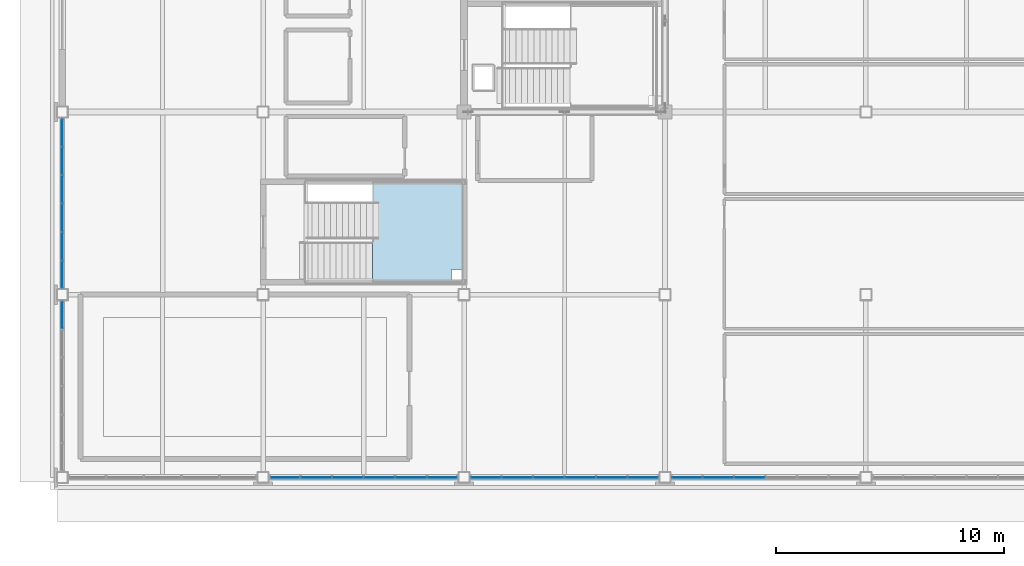
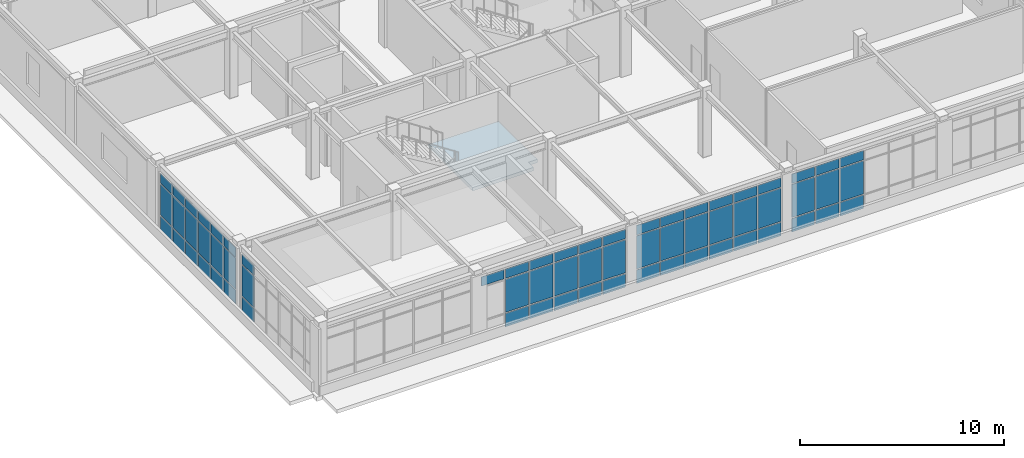
# One storey, part 9 of 22: 64 plates, 1 slab, 6 elements without a shape of their own.
"""IFC4 building model written with IfcOpenShell, lengths in metres."""

from ifc_helpers import new_model, si_unit, direction, frame, origin, origin_2d, place, context, subcontext, project, spatial, polyline, rectangle, outline, extrude, material, layer, layer_set, type_object, element, aggregate, save


model = new_model("IFC4")

# Units and contexts
model_context = context("Model", 3, precision=1e-05, world=origin(), true_north=direction((0.0, 1.0)))
body_context = subcontext(model_context, "Body", "Model", "MODEL_VIEW")
ifc_project = project(units=[si_unit("LENGTHUNIT", "METRE"), si_unit("AREAUNIT", "SQUARE_METRE"), si_unit("VOLUMEUNIT", "CUBIC_METRE"), si_unit("PLANEANGLEUNIT", "RADIAN"), si_unit("MASSUNIT", "GRAM", prefix="KILO")], contexts=[model_context])

# Site, building, storey
site_placement = place(None, origin())
site = spatial("IfcSite", under=ifc_project, at=site_placement, CompositionType="ELEMENT")
building_placement = place(site_placement, origin())
building = spatial("IfcBuilding", under=site, at=building_placement, Name="Zhaolan Boulevard Law Courts", CompositionType="ELEMENT")
storey_placement = place(building_placement, frame((0.0, 0.0, 28.800048828125)))
storey = spatial("IfcBuildingStorey", under=building, at=storey_placement, Name="L06", CompositionType="ELEMENT", Elevation=28.800048828125)

# Curtain wall, plates
ifc_material_1 = material(Name="Thermally broken aluminium and low-E glazing", Category="aluminium")
curtain_wall_type_1 = type_object("IfcCurtainWallType", Name="CURTAIN WALL M9", PredefinedType="USERDEFINED", material=ifc_material_1)
curtain_wall_1_placement = place(storey_placement, origin())
curtain_wall_1 = element("IfcCurtainWall", 1, at=curtain_wall_1_placement, inside=storey, type_object=curtain_wall_type_1, Name="Curtain Wall CW-L06-225", ObjectType="CURTAIN WALL", PredefinedType="USERDEFINED")
ifc_material_2 = material(Name="Triple-silver low-E insulated glazing", Category="glass")
ifc_layer_1 = layer(ifc_material_2, 0.028076171875)
ifc_layer_set_1 = layer_set([ifc_layer_1])
plate_type = type_object("IfcPlateType", Name="CWPANEL LOW E28", PredefinedType="CURTAIN_PANEL", material=ifc_layer_set_1)
plate_1_placement = place(storey_placement, frame((9.759521484375, 30.0, 2.9755859375), z_axis=(0.0, 0.0, 1.0), x_axis=(1.0, 0.0, 0.0)))
plate_1 = element("IfcPlate", 2, at=plate_1_placement, type_object=plate_type, Name="CW-L06-225 panel 1.3", PredefinedType="CURTAIN_PANEL", context=body_context, shape_type="SweptSolid", body=[
    extrude(rectangle(XDim=1.28515625, YDim=0.028076171875, at=origin_2d()), origin(), (0.0, 0.0, 1.0), 0.552490234375),
])
plate_2_placement = place(storey_placement, frame((11.1259765625, 30.0, 0.06494140625), z_axis=(0.0, 0.0, 1.0), x_axis=(1.0, 0.0, 0.0)))
plate_2 = element("IfcPlate", 3, at=plate_2_placement, type_object=plate_type, Name="CW-L06-225 panel 2.1", PredefinedType="CURTAIN_PANEL", context=body_context, shape_type="SweptSolid", body=[
    extrude(rectangle(XDim=1.317626953125, YDim=0.028076171875, at=origin_2d()), origin(), (0.0, 0.0, 1.0), 0.802490234375),
])
plate_3_placement = place(storey_placement, frame((11.1259765625, 30.0, 0.932373046875), z_axis=(0.0, 0.0, 1.0), x_axis=(1.0, 0.0, 0.0)))
plate_3 = element("IfcPlate", 4, at=plate_3_placement, type_object=plate_type, Name="CW-L06-225 panel 2.2", PredefinedType="CURTAIN_PANEL", context=body_context, shape_type="SweptSolid", body=[
    extrude(rectangle(XDim=1.317626953125, YDim=0.028076171875, at=origin_2d()), origin(), (0.0, 0.0, 1.0), 1.97802734375),
])
plate_4_placement = place(storey_placement, frame((11.1259765625, 30.0, 2.9755859375), z_axis=(0.0, 0.0, 1.0), x_axis=(1.0, 0.0, 0.0)))
plate_4 = element("IfcPlate", 5, at=plate_4_placement, type_object=plate_type, Name="CW-L06-225 panel 2.3", PredefinedType="CURTAIN_PANEL", context=body_context, shape_type="SweptSolid", body=[
    extrude(rectangle(XDim=1.317626953125, YDim=0.028076171875, at=origin_2d()), origin(), (0.0, 0.0, 1.0), 0.552490234375),
])
plate_5_placement = place(storey_placement, frame((12.508544921875, 30.0, 0.06494140625), z_axis=(0.0, 0.0, 1.0), x_axis=(1.0, 0.0, 0.0)))
plate_5 = element("IfcPlate", 6, at=plate_5_placement, type_object=plate_type, Name="CW-L06-225 panel 3.1", PredefinedType="CURTAIN_PANEL", context=body_context, shape_type="SweptSolid", body=[
    extrude(rectangle(XDim=1.317626953125, YDim=0.028076171875, at=origin_2d()), origin(), (0.0, 0.0, 1.0), 0.802490234375),
])
plate_6_placement = place(storey_placement, frame((12.508544921875, 30.0, 0.932373046875), z_axis=(0.0, 0.0, 1.0), x_axis=(1.0, 0.0, 0.0)))
plate_6 = element("IfcPlate", 7, at=plate_6_placement, type_object=plate_type, Name="CW-L06-225 panel 3.2", PredefinedType="CURTAIN_PANEL", context=body_context, shape_type="SweptSolid", body=[
    extrude(rectangle(XDim=1.317626953125, YDim=0.028076171875, at=origin_2d()), origin(), (0.0, 0.0, 1.0), 1.97802734375),
])
plate_7_placement = place(storey_placement, frame((12.508544921875, 30.0, 2.9755859375), z_axis=(0.0, 0.0, 1.0), x_axis=(1.0, 0.0, 0.0)))
plate_7 = element("IfcPlate", 8, at=plate_7_placement, type_object=plate_type, Name="CW-L06-225 panel 3.3", PredefinedType="CURTAIN_PANEL", context=body_context, shape_type="SweptSolid", body=[
    extrude(rectangle(XDim=1.317626953125, YDim=0.028076171875, at=origin_2d()), origin(), (0.0, 0.0, 1.0), 0.552490234375),
])
plate_8_placement = place(storey_placement, frame((13.891357421875, 30.0, 0.06494140625), z_axis=(0.0, 0.0, 1.0), x_axis=(1.0, 0.0, 0.0)))
plate_8 = element("IfcPlate", 9, at=plate_8_placement, type_object=plate_type, Name="CW-L06-225 panel 4.1", PredefinedType="CURTAIN_PANEL", context=body_context, shape_type="SweptSolid", body=[
    extrude(rectangle(XDim=1.317626953125, YDim=0.028076171875, at=origin_2d()), origin(), (0.0, 0.0, 1.0), 0.802490234375),
])
plate_9_placement = place(storey_placement, frame((13.891357421875, 30.0, 0.932373046875), z_axis=(0.0, 0.0, 1.0), x_axis=(1.0, 0.0, 0.0)))
plate_9 = element("IfcPlate", 10, at=plate_9_placement, type_object=plate_type, Name="CW-L06-225 panel 4.2", PredefinedType="CURTAIN_PANEL", context=body_context, shape_type="SweptSolid", body=[
    extrude(rectangle(XDim=1.317626953125, YDim=0.028076171875, at=origin_2d()), origin(), (0.0, 0.0, 1.0), 1.97802734375),
])
plate_10_placement = place(storey_placement, frame((13.891357421875, 30.0, 2.9755859375), z_axis=(0.0, 0.0, 1.0), x_axis=(1.0, 0.0, 0.0)))
plate_10 = element("IfcPlate", 11, at=plate_10_placement, type_object=plate_type, Name="CW-L06-225 panel 4.3", PredefinedType="CURTAIN_PANEL", context=body_context, shape_type="SweptSolid", body=[
    extrude(rectangle(XDim=1.317626953125, YDim=0.028076171875, at=origin_2d()), origin(), (0.0, 0.0, 1.0), 0.552490234375),
])
plate_11_placement = place(storey_placement, frame((15.27392578125, 30.0, 0.06494140625), z_axis=(0.0, 0.0, 1.0), x_axis=(1.0, 0.0, 0.0)))
plate_11 = element("IfcPlate", 12, at=plate_11_placement, type_object=plate_type, Name="CW-L06-225 panel 5.1", PredefinedType="CURTAIN_PANEL", context=body_context, shape_type="SweptSolid", body=[
    extrude(rectangle(XDim=1.317626953125, YDim=0.028076171875, at=origin_2d()), origin(), (0.0, 0.0, 1.0), 0.802490234375),
])
plate_12_placement = place(storey_placement, frame((15.27392578125, 30.0, 0.932373046875), z_axis=(0.0, 0.0, 1.0), x_axis=(1.0, 0.0, 0.0)))
plate_12 = element("IfcPlate", 13, at=plate_12_placement, type_object=plate_type, Name="CW-L06-225 panel 5.2", PredefinedType="CURTAIN_PANEL", context=body_context, shape_type="SweptSolid", body=[
    extrude(rectangle(XDim=1.317626953125, YDim=0.028076171875, at=origin_2d()), origin(), (0.0, 0.0, 1.0), 1.97802734375),
])
plate_13_placement = place(storey_placement, frame((15.27392578125, 30.0, 2.9755859375), z_axis=(0.0, 0.0, 1.0), x_axis=(1.0, 0.0, 0.0)))
plate_13 = element("IfcPlate", 14, at=plate_13_placement, type_object=plate_type, Name="CW-L06-225 panel 5.3", PredefinedType="CURTAIN_PANEL", context=body_context, shape_type="SweptSolid", body=[
    extrude(rectangle(XDim=1.317626953125, YDim=0.028076171875, at=origin_2d()), origin(), (0.0, 0.0, 1.0), 0.552490234375),
])
plate_14_placement = place(storey_placement, frame((16.640380859375, 30.0, 0.06494140625), z_axis=(0.0, 0.0, 1.0), x_axis=(1.0, 0.0, 0.0)))
plate_14 = element("IfcPlate", 15, at=plate_14_placement, type_object=plate_type, Name="CW-L06-225 panel 6.1", PredefinedType="CURTAIN_PANEL", context=body_context, shape_type="SweptSolid", body=[
    extrude(rectangle(XDim=1.28515625, YDim=0.028076171875, at=origin_2d()), origin(), (0.0, 0.0, 1.0), 0.802490234375),
])
plate_15_placement = place(storey_placement, frame((16.640380859375, 30.0, 0.932373046875), z_axis=(0.0, 0.0, 1.0), x_axis=(1.0, 0.0, 0.0)))
plate_15 = element("IfcPlate", 16, at=plate_15_placement, type_object=plate_type, Name="CW-L06-225 panel 6.2", PredefinedType="CURTAIN_PANEL", context=body_context, shape_type="SweptSolid", body=[
    extrude(rectangle(XDim=1.28515625, YDim=0.028076171875, at=origin_2d()), origin(), (0.0, 0.0, 1.0), 1.97802734375),
])
plate_16_placement = place(storey_placement, frame((16.640380859375, 30.0, 2.9755859375), z_axis=(0.0, 0.0, 1.0), x_axis=(1.0, 0.0, 0.0)))
plate_16 = element("IfcPlate", 17, at=plate_16_placement, type_object=plate_type, Name="CW-L06-225 panel 6.3", PredefinedType="CURTAIN_PANEL", context=body_context, shape_type="SweptSolid", body=[
    extrude(rectangle(XDim=1.28515625, YDim=0.028076171875, at=origin_2d()), origin(), (0.0, 0.0, 1.0), 0.552490234375),
])
aggregate(curtain_wall_1, [plate_1, plate_2, plate_3, plate_4, plate_5, plate_6, plate_7, plate_8, plate_9, plate_10, plate_11, plate_12, plate_13, plate_14, plate_15, plate_16])

ifc_material_3 = material(Name="Thermally broken aluminium and low-E glazing", Category="aluminium")
curtain_wall_type_2 = type_object("IfcCurtainWallType", Name="CURTAIN WALL M10", PredefinedType="USERDEFINED", material=ifc_material_3)
curtain_wall_2_placement = place(storey_placement, origin())
curtain_wall_2 = element("IfcCurtainWall", 18, at=curtain_wall_2_placement, inside=storey, type_object=curtain_wall_type_2, Name="Curtain Wall CW-L06-226", ObjectType="CURTAIN WALL", PredefinedType="USERDEFINED")
plate_17_placement = place(storey_placement, frame((18.558349609375, 30.0, 0.059814453125), z_axis=(0.0, 0.0, 1.0), x_axis=(1.0, 0.0, 0.0)))
plate_17 = element("IfcPlate", 19, at=plate_17_placement, type_object=plate_type, Name="CW-L06-226 panel 1.1", PredefinedType="CURTAIN_PANEL", context=body_context, shape_type="SweptSolid", body=[
    extrude(rectangle(XDim=1.292724609375, YDim=0.028076171875, at=origin_2d()), origin(), (0.0, 0.0, 1.0), 0.81005859375),
])
plate_18_placement = place(storey_placement, frame((18.558349609375, 30.0, 0.929931640625), z_axis=(0.0, 0.0, 1.0), x_axis=(1.0, 0.0, 0.0)))
plate_18 = element("IfcPlate", 20, at=plate_18_placement, type_object=plate_type, Name="CW-L06-226 panel 1.2", PredefinedType="CURTAIN_PANEL", context=body_context, shape_type="SweptSolid", body=[
    extrude(rectangle(XDim=1.292724609375, YDim=0.028076171875, at=origin_2d()), origin(), (0.0, 0.0, 1.0), 1.98291015625),
])
plate_19_placement = place(storey_placement, frame((18.558349609375, 30.0, 2.972900390625), z_axis=(0.0, 0.0, 1.0), x_axis=(1.0, 0.0, 0.0)))
plate_19 = element("IfcPlate", 21, at=plate_19_placement, type_object=plate_type, Name="CW-L06-226 panel 1.3", PredefinedType="CURTAIN_PANEL", context=body_context, shape_type="SweptSolid", body=[
    extrude(rectangle(XDim=1.292724609375, YDim=0.028076171875, at=origin_2d()), origin(), (0.0, 0.0, 1.0), 0.56005859375),
])
plate_20_placement = place(storey_placement, frame((19.926025390625, 30.0, 0.059814453125), z_axis=(0.0, 0.0, 1.0), x_axis=(1.0, 0.0, 0.0)))
plate_20 = element("IfcPlate", 22, at=plate_20_placement, type_object=plate_type, Name="CW-L06-226 panel 2.1", PredefinedType="CURTAIN_PANEL", context=body_context, shape_type="SweptSolid", body=[
    extrude(rectangle(XDim=1.32275390625, YDim=0.028076171875, at=origin_2d()), origin(), (0.0, 0.0, 1.0), 0.81005859375),
])
plate_21_placement = place(storey_placement, frame((19.926025390625, 30.0, 0.929931640625), z_axis=(0.0, 0.0, 1.0), x_axis=(1.0, 0.0, 0.0)))
plate_21 = element("IfcPlate", 23, at=plate_21_placement, type_object=plate_type, Name="CW-L06-226 panel 2.2", PredefinedType="CURTAIN_PANEL", context=body_context, shape_type="SweptSolid", body=[
    extrude(rectangle(XDim=1.32275390625, YDim=0.028076171875, at=origin_2d()), origin(), (0.0, 0.0, 1.0), 1.98291015625),
])
plate_22_placement = place(storey_placement, frame((19.926025390625, 30.0, 2.972900390625), z_axis=(0.0, 0.0, 1.0), x_axis=(1.0, 0.0, 0.0)))
plate_22 = element("IfcPlate", 24, at=plate_22_placement, type_object=plate_type, Name="CW-L06-226 panel 2.3", PredefinedType="CURTAIN_PANEL", context=body_context, shape_type="SweptSolid", body=[
    extrude(rectangle(XDim=1.32275390625, YDim=0.028076171875, at=origin_2d()), origin(), (0.0, 0.0, 1.0), 0.56005859375),
])
plate_23_placement = place(storey_placement, frame((21.30859375, 30.0, 0.059814453125), z_axis=(0.0, 0.0, 1.0), x_axis=(1.0, 0.0, 0.0)))
plate_23 = element("IfcPlate", 25, at=plate_23_placement, type_object=plate_type, Name="CW-L06-226 panel 3.1", PredefinedType="CURTAIN_PANEL", context=body_context, shape_type="SweptSolid", body=[
    extrude(rectangle(XDim=1.32275390625, YDim=0.028076171875, at=origin_2d()), origin(), (0.0, 0.0, 1.0), 0.81005859375),
])
plate_24_placement = place(storey_placement, frame((21.30859375, 30.0, 0.929931640625), z_axis=(0.0, 0.0, 1.0), x_axis=(1.0, 0.0, 0.0)))
plate_24 = element("IfcPlate", 26, at=plate_24_placement, type_object=plate_type, Name="CW-L06-226 panel 3.2", PredefinedType="CURTAIN_PANEL", context=body_context, shape_type="SweptSolid", body=[
    extrude(rectangle(XDim=1.32275390625, YDim=0.028076171875, at=origin_2d()), origin(), (0.0, 0.0, 1.0), 1.98291015625),
])
plate_25_placement = place(storey_placement, frame((21.30859375, 30.0, 2.972900390625), z_axis=(0.0, 0.0, 1.0), x_axis=(1.0, 0.0, 0.0)))
plate_25 = element("IfcPlate", 27, at=plate_25_placement, type_object=plate_type, Name="CW-L06-226 panel 3.3", PredefinedType="CURTAIN_PANEL", context=body_context, shape_type="SweptSolid", body=[
    extrude(rectangle(XDim=1.32275390625, YDim=0.028076171875, at=origin_2d()), origin(), (0.0, 0.0, 1.0), 0.56005859375),
])
plate_26_placement = place(storey_placement, frame((22.69140625, 30.0, 0.059814453125), z_axis=(0.0, 0.0, 1.0), x_axis=(1.0, 0.0, 0.0)))
plate_26 = element("IfcPlate", 28, at=plate_26_placement, type_object=plate_type, Name="CW-L06-226 panel 4.1", PredefinedType="CURTAIN_PANEL", context=body_context, shape_type="SweptSolid", body=[
    extrude(rectangle(XDim=1.32275390625, YDim=0.028076171875, at=origin_2d()), origin(), (0.0, 0.0, 1.0), 0.81005859375),
])
plate_27_placement = place(storey_placement, frame((22.69140625, 30.0, 0.929931640625), z_axis=(0.0, 0.0, 1.0), x_axis=(1.0, 0.0, 0.0)))
plate_27 = element("IfcPlate", 29, at=plate_27_placement, type_object=plate_type, Name="CW-L06-226 panel 4.2", PredefinedType="CURTAIN_PANEL", context=body_context, shape_type="SweptSolid", body=[
    extrude(rectangle(XDim=1.32275390625, YDim=0.028076171875, at=origin_2d()), origin(), (0.0, 0.0, 1.0), 1.98291015625),
])
plate_28_placement = place(storey_placement, frame((22.69140625, 30.0, 2.972900390625), z_axis=(0.0, 0.0, 1.0), x_axis=(1.0, 0.0, 0.0)))
plate_28 = element("IfcPlate", 30, at=plate_28_placement, type_object=plate_type, Name="CW-L06-226 panel 4.3", PredefinedType="CURTAIN_PANEL", context=body_context, shape_type="SweptSolid", body=[
    extrude(rectangle(XDim=1.32275390625, YDim=0.028076171875, at=origin_2d()), origin(), (0.0, 0.0, 1.0), 0.56005859375),
])
plate_29_placement = place(storey_placement, frame((24.073974609375, 30.0, 0.059814453125), z_axis=(0.0, 0.0, 1.0), x_axis=(1.0, 0.0, 0.0)))
plate_29 = element("IfcPlate", 31, at=plate_29_placement, type_object=plate_type, Name="CW-L06-226 panel 5.1", PredefinedType="CURTAIN_PANEL", context=body_context, shape_type="SweptSolid", body=[
    extrude(rectangle(XDim=1.32275390625, YDim=0.028076171875, at=origin_2d()), origin(), (0.0, 0.0, 1.0), 0.81005859375),
])
plate_30_placement = place(storey_placement, frame((24.073974609375, 30.0, 0.929931640625), z_axis=(0.0, 0.0, 1.0), x_axis=(1.0, 0.0, 0.0)))
plate_30 = element("IfcPlate", 32, at=plate_30_placement, type_object=plate_type, Name="CW-L06-226 panel 5.2", PredefinedType="CURTAIN_PANEL", context=body_context, shape_type="SweptSolid", body=[
    extrude(rectangle(XDim=1.32275390625, YDim=0.028076171875, at=origin_2d()), origin(), (0.0, 0.0, 1.0), 1.98291015625),
])
plate_31_placement = place(storey_placement, frame((24.073974609375, 30.0, 2.972900390625), z_axis=(0.0, 0.0, 1.0), x_axis=(1.0, 0.0, 0.0)))
plate_31 = element("IfcPlate", 33, at=plate_31_placement, type_object=plate_type, Name="CW-L06-226 panel 5.3", PredefinedType="CURTAIN_PANEL", context=body_context, shape_type="SweptSolid", body=[
    extrude(rectangle(XDim=1.32275390625, YDim=0.028076171875, at=origin_2d()), origin(), (0.0, 0.0, 1.0), 0.56005859375),
])
plate_32_placement = place(storey_placement, frame((25.441650390625, 30.0, 0.059814453125), z_axis=(0.0, 0.0, 1.0), x_axis=(1.0, 0.0, 0.0)))
plate_32 = element("IfcPlate", 34, at=plate_32_placement, type_object=plate_type, Name="CW-L06-226 panel 6.1", PredefinedType="CURTAIN_PANEL", context=body_context, shape_type="SweptSolid", body=[
    extrude(rectangle(XDim=1.292724609375, YDim=0.028076171875, at=origin_2d()), origin(), (0.0, 0.0, 1.0), 0.81005859375),
])
plate_33_placement = place(storey_placement, frame((25.441650390625, 30.0, 0.929931640625), z_axis=(0.0, 0.0, 1.0), x_axis=(1.0, 0.0, 0.0)))
plate_33 = element("IfcPlate", 35, at=plate_33_placement, type_object=plate_type, Name="CW-L06-226 panel 6.2", PredefinedType="CURTAIN_PANEL", context=body_context, shape_type="SweptSolid", body=[
    extrude(rectangle(XDim=1.292724609375, YDim=0.028076171875, at=origin_2d()), origin(), (0.0, 0.0, 1.0), 1.98291015625),
])
plate_34_placement = place(storey_placement, frame((25.441650390625, 30.0, 2.972900390625), z_axis=(0.0, 0.0, 1.0), x_axis=(1.0, 0.0, 0.0)))
plate_34 = element("IfcPlate", 36, at=plate_34_placement, type_object=plate_type, Name="CW-L06-226 panel 6.3", PredefinedType="CURTAIN_PANEL", context=body_context, shape_type="SweptSolid", body=[
    extrude(rectangle(XDim=1.292724609375, YDim=0.028076171875, at=origin_2d()), origin(), (0.0, 0.0, 1.0), 0.56005859375),
])
aggregate(curtain_wall_2, [plate_17, plate_18, plate_19, plate_20, plate_21, plate_22, plate_23, plate_24, plate_25, plate_26, plate_27, plate_28, plate_29, plate_30, plate_31, plate_32, plate_33, plate_34])

ifc_material_4 = material(Name="Thermally broken aluminium and low-E glazing", Category="aluminium")
curtain_wall_type_3 = type_object("IfcCurtainWallType", Name="CURTAIN WALL M11", PredefinedType="USERDEFINED", material=ifc_material_4)
curtain_wall_3_placement = place(storey_placement, origin())
curtain_wall_3 = element("IfcCurtainWall", 37, at=curtain_wall_3_placement, inside=storey, type_object=curtain_wall_type_3, Name="Curtain Wall CW-L06-227", ObjectType="CURTAIN WALL", PredefinedType="USERDEFINED")
plate_35_placement = place(storey_placement, frame((27.3583984375, 30.0, 0.059814453125), z_axis=(0.0, 0.0, 1.0), x_axis=(1.0, 0.0, 0.0)))
plate_35 = element("IfcPlate", 38, at=plate_35_placement, type_object=plate_type, Name="CW-L06-227 panel 1.1", PredefinedType="CURTAIN_PANEL", context=body_context, shape_type="SweptSolid", body=[
    extrude(rectangle(XDim=1.292724609375, YDim=0.028076171875, at=origin_2d()), origin(), (0.0, 0.0, 1.0), 0.81005859375),
])
plate_36_placement = place(storey_placement, frame((27.3583984375, 30.0, 0.929931640625), z_axis=(0.0, 0.0, 1.0), x_axis=(1.0, 0.0, 0.0)))
plate_36 = element("IfcPlate", 39, at=plate_36_placement, type_object=plate_type, Name="CW-L06-227 panel 1.2", PredefinedType="CURTAIN_PANEL", context=body_context, shape_type="SweptSolid", body=[
    extrude(rectangle(XDim=1.292724609375, YDim=0.028076171875, at=origin_2d()), origin(), (0.0, 0.0, 1.0), 1.98291015625),
])
plate_37_placement = place(storey_placement, frame((27.3583984375, 30.0, 2.972900390625), z_axis=(0.0, 0.0, 1.0), x_axis=(1.0, 0.0, 0.0)))
plate_37 = element("IfcPlate", 40, at=plate_37_placement, type_object=plate_type, Name="CW-L06-227 panel 1.3", PredefinedType="CURTAIN_PANEL", context=body_context, shape_type="SweptSolid", body=[
    extrude(rectangle(XDim=1.292724609375, YDim=0.028076171875, at=origin_2d()), origin(), (0.0, 0.0, 1.0), 0.56005859375),
])
plate_38_placement = place(storey_placement, frame((28.72607421875, 30.0, 0.059814453125), z_axis=(0.0, 0.0, 1.0), x_axis=(1.0, 0.0, 0.0)))
plate_38 = element("IfcPlate", 41, at=plate_38_placement, type_object=plate_type, Name="CW-L06-227 panel 2.1", PredefinedType="CURTAIN_PANEL", context=body_context, shape_type="SweptSolid", body=[
    extrude(rectangle(XDim=1.32275390625, YDim=0.028076171875, at=origin_2d()), origin(), (0.0, 0.0, 1.0), 0.81005859375),
])
plate_39_placement = place(storey_placement, frame((28.72607421875, 30.0, 0.929931640625), z_axis=(0.0, 0.0, 1.0), x_axis=(1.0, 0.0, 0.0)))
plate_39 = element("IfcPlate", 42, at=plate_39_placement, type_object=plate_type, Name="CW-L06-227 panel 2.2", PredefinedType="CURTAIN_PANEL", context=body_context, shape_type="SweptSolid", body=[
    extrude(rectangle(XDim=1.32275390625, YDim=0.028076171875, at=origin_2d()), origin(), (0.0, 0.0, 1.0), 1.98291015625),
])
plate_40_placement = place(storey_placement, frame((28.72607421875, 30.0, 2.972900390625), z_axis=(0.0, 0.0, 1.0), x_axis=(1.0, 0.0, 0.0)))
plate_40 = element("IfcPlate", 43, at=plate_40_placement, type_object=plate_type, Name="CW-L06-227 panel 2.3", PredefinedType="CURTAIN_PANEL", context=body_context, shape_type="SweptSolid", body=[
    extrude(rectangle(XDim=1.32275390625, YDim=0.028076171875, at=origin_2d()), origin(), (0.0, 0.0, 1.0), 0.56005859375),
])
plate_41_placement = place(storey_placement, frame((30.108642578125, 30.0, 0.059814453125), z_axis=(0.0, 0.0, 1.0), x_axis=(1.0, 0.0, 0.0)))
plate_41 = element("IfcPlate", 44, at=plate_41_placement, type_object=plate_type, Name="CW-L06-227 panel 3.1", PredefinedType="CURTAIN_PANEL", context=body_context, shape_type="SweptSolid", body=[
    extrude(rectangle(XDim=1.32275390625, YDim=0.028076171875, at=origin_2d()), origin(), (0.0, 0.0, 1.0), 0.81005859375),
])
plate_42_placement = place(storey_placement, frame((30.108642578125, 30.0, 0.929931640625), z_axis=(0.0, 0.0, 1.0), x_axis=(1.0, 0.0, 0.0)))
plate_42 = element("IfcPlate", 45, at=plate_42_placement, type_object=plate_type, Name="CW-L06-227 panel 3.2", PredefinedType="CURTAIN_PANEL", context=body_context, shape_type="SweptSolid", body=[
    extrude(rectangle(XDim=1.32275390625, YDim=0.028076171875, at=origin_2d()), origin(), (0.0, 0.0, 1.0), 1.98291015625),
])
plate_43_placement = place(storey_placement, frame((30.108642578125, 30.0, 2.972900390625), z_axis=(0.0, 0.0, 1.0), x_axis=(1.0, 0.0, 0.0)))
plate_43 = element("IfcPlate", 46, at=plate_43_placement, type_object=plate_type, Name="CW-L06-227 panel 3.3", PredefinedType="CURTAIN_PANEL", context=body_context, shape_type="SweptSolid", body=[
    extrude(rectangle(XDim=1.32275390625, YDim=0.028076171875, at=origin_2d()), origin(), (0.0, 0.0, 1.0), 0.56005859375),
])
aggregate(curtain_wall_3, [plate_35, plate_36, plate_37, plate_38, plate_39, plate_40, plate_41, plate_42, plate_43])

ifc_material_5 = material(Name="Thermally broken aluminium and low-E glazing", Category="aluminium")
curtain_wall_type_4 = type_object("IfcCurtainWallType", Name="CURTAIN WALL M13", PredefinedType="USERDEFINED", material=ifc_material_5)
curtain_wall_4_placement = place(storey_placement, origin())
curtain_wall_4 = element("IfcCurtainWall", 47, at=curtain_wall_4_placement, inside=storey, type_object=curtain_wall_type_4, Name="Curtain Wall CW-L06-229", ObjectType="CURTAIN WALL", PredefinedType="USERDEFINED")
plate_44_placement = place(storey_placement, frame((0.0, 37.1083984375, 0.059814453125), z_axis=(0.0, 0.0, 1.0), x_axis=(0.0, -1.0, 0.0)))
plate_44 = element("IfcPlate", 48, at=plate_44_placement, type_object=plate_type, Name="CW-L06-229 panel 1.1", PredefinedType="CURTAIN_PANEL", context=body_context, shape_type="SweptSolid", body=[
    extrude(rectangle(XDim=1.159423828125, YDim=0.028076171875, at=origin_2d()), origin(), (0.0, 0.0, 1.0), 0.81005859375),
])
plate_45_placement = place(storey_placement, frame((0.0, 37.1083984375, 0.929931640625), z_axis=(0.0, 0.0, 1.0), x_axis=(0.0, -1.0, 0.0)))
plate_45 = element("IfcPlate", 49, at=plate_45_placement, type_object=plate_type, Name="CW-L06-229 panel 1.2", PredefinedType="CURTAIN_PANEL", context=body_context, shape_type="SweptSolid", body=[
    extrude(rectangle(XDim=1.159423828125, YDim=0.028076171875, at=origin_2d()), origin(), (0.0, 0.0, 1.0), 1.873046875),
])
plate_46_placement = place(storey_placement, frame((0.0, 37.1083984375, 2.863037109375), z_axis=(0.0, 0.0, 1.0), x_axis=(0.0, -1.0, 0.0)))
plate_46 = element("IfcPlate", 50, at=plate_46_placement, type_object=plate_type, Name="CW-L06-229 panel 1.3", PredefinedType="CURTAIN_PANEL", context=body_context, shape_type="SweptSolid", body=[
    extrude(rectangle(XDim=1.159423828125, YDim=0.028076171875, at=origin_2d()), origin(), (0.0, 0.0, 1.0), 0.56005859375),
])
aggregate(curtain_wall_4, [plate_44, plate_45, plate_46])

ifc_material_6 = material(Name="Thermally broken aluminium and low-E glazing", Category="aluminium")
curtain_wall_type_5 = type_object("IfcCurtainWallType", Name="CURTAIN WALL M14", PredefinedType="USERDEFINED", material=ifc_material_6)
curtain_wall_5_placement = place(storey_placement, origin())
curtain_wall_5 = element("IfcCurtainWall", 51, at=curtain_wall_5_placement, inside=storey, type_object=curtain_wall_type_5, Name="Curtain Wall CW-L06-230", ObjectType="CURTAIN WALL", PredefinedType="USERDEFINED")
plate_47_placement = place(storey_placement, frame((0.0, 45.1083984375, 0.059814453125), z_axis=(0.0, 0.0, 1.0), x_axis=(0.0, -1.0, 0.0)))
plate_47 = element("IfcPlate", 52, at=plate_47_placement, type_object=plate_type, Name="CW-L06-230 panel 1.1", PredefinedType="CURTAIN_PANEL", context=body_context, shape_type="SweptSolid", body=[
    extrude(rectangle(XDim=1.159423828125, YDim=0.028076171875, at=origin_2d()), origin(), (0.0, 0.0, 1.0), 0.81005859375),
])
plate_48_placement = place(storey_placement, frame((0.0, 45.1083984375, 0.929931640625), z_axis=(0.0, 0.0, 1.0), x_axis=(0.0, -1.0, 0.0)))
plate_48 = element("IfcPlate", 53, at=plate_48_placement, type_object=plate_type, Name="CW-L06-230 panel 1.2", PredefinedType="CURTAIN_PANEL", context=body_context, shape_type="SweptSolid", body=[
    extrude(rectangle(XDim=1.159423828125, YDim=0.028076171875, at=origin_2d()), origin(), (0.0, 0.0, 1.0), 1.873046875),
])
plate_49_placement = place(storey_placement, frame((0.0, 45.1083984375, 2.863037109375), z_axis=(0.0, 0.0, 1.0), x_axis=(0.0, -1.0, 0.0)))
plate_49 = element("IfcPlate", 54, at=plate_49_placement, type_object=plate_type, Name="CW-L06-230 panel 1.3", PredefinedType="CURTAIN_PANEL", context=body_context, shape_type="SweptSolid", body=[
    extrude(rectangle(XDim=1.159423828125, YDim=0.028076171875, at=origin_2d()), origin(), (0.0, 0.0, 1.0), 0.56005859375),
])
plate_50_placement = place(storey_placement, frame((0.0, 43.8740234375, 0.059814453125), z_axis=(0.0, 0.0, 1.0), x_axis=(0.0, -1.0, 0.0)))
plate_50 = element("IfcPlate", 55, at=plate_50_placement, type_object=plate_type, Name="CW-L06-230 panel 2.1", PredefinedType="CURTAIN_PANEL", context=body_context, shape_type="SweptSolid", body=[
    extrude(rectangle(XDim=1.189453125, YDim=0.028076171875, at=origin_2d()), origin(), (0.0, 0.0, 1.0), 0.81005859375),
])
plate_51_placement = place(storey_placement, frame((0.0, 43.8740234375, 0.929931640625), z_axis=(0.0, 0.0, 1.0), x_axis=(0.0, -1.0, 0.0)))
plate_51 = element("IfcPlate", 56, at=plate_51_placement, type_object=plate_type, Name="CW-L06-230 panel 2.2", PredefinedType="CURTAIN_PANEL", context=body_context, shape_type="SweptSolid", body=[
    extrude(rectangle(XDim=1.189453125, YDim=0.028076171875, at=origin_2d()), origin(), (0.0, 0.0, 1.0), 1.873046875),
])
plate_52_placement = place(storey_placement, frame((0.0, 43.8740234375, 2.863037109375), z_axis=(0.0, 0.0, 1.0), x_axis=(0.0, -1.0, 0.0)))
plate_52 = element("IfcPlate", 57, at=plate_52_placement, type_object=plate_type, Name="CW-L06-230 panel 2.3", PredefinedType="CURTAIN_PANEL", context=body_context, shape_type="SweptSolid", body=[
    extrude(rectangle(XDim=1.189453125, YDim=0.028076171875, at=origin_2d()), origin(), (0.0, 0.0, 1.0), 0.56005859375),
])
plate_53_placement = place(storey_placement, frame((0.0, 42.624755859375, 0.059814453125), z_axis=(0.0, 0.0, 1.0), x_axis=(0.0, -1.0, 0.0)))
plate_53 = element("IfcPlate", 58, at=plate_53_placement, type_object=plate_type, Name="CW-L06-230 panel 3.1", PredefinedType="CURTAIN_PANEL", context=body_context, shape_type="SweptSolid", body=[
    extrude(rectangle(XDim=1.189453125, YDim=0.028076171875, at=origin_2d()), origin(), (0.0, 0.0, 1.0), 0.81005859375),
])
plate_54_placement = place(storey_placement, frame((0.0, 42.624755859375, 0.929931640625), z_axis=(0.0, 0.0, 1.0), x_axis=(0.0, -1.0, 0.0)))
plate_54 = element("IfcPlate", 59, at=plate_54_placement, type_object=plate_type, Name="CW-L06-230 panel 3.2", PredefinedType="CURTAIN_PANEL", context=body_context, shape_type="SweptSolid", body=[
    extrude(rectangle(XDim=1.189453125, YDim=0.028076171875, at=origin_2d()), origin(), (0.0, 0.0, 1.0), 1.873046875),
])
plate_55_placement = place(storey_placement, frame((0.0, 42.624755859375, 2.863037109375), z_axis=(0.0, 0.0, 1.0), x_axis=(0.0, -1.0, 0.0)))
plate_55 = element("IfcPlate", 60, at=plate_55_placement, type_object=plate_type, Name="CW-L06-230 panel 3.3", PredefinedType="CURTAIN_PANEL", context=body_context, shape_type="SweptSolid", body=[
    extrude(rectangle(XDim=1.189453125, YDim=0.028076171875, at=origin_2d()), origin(), (0.0, 0.0, 1.0), 0.56005859375),
])
plate_56_placement = place(storey_placement, frame((0.0, 41.375244140625, 0.059814453125), z_axis=(0.0, 0.0, 1.0), x_axis=(0.0, -1.0, 0.0)))
plate_56 = element("IfcPlate", 61, at=plate_56_placement, type_object=plate_type, Name="CW-L06-230 panel 4.1", PredefinedType="CURTAIN_PANEL", context=body_context, shape_type="SweptSolid", body=[
    extrude(rectangle(XDim=1.189453125, YDim=0.028076171875, at=origin_2d()), origin(), (0.0, 0.0, 1.0), 0.81005859375),
])
plate_57_placement = place(storey_placement, frame((0.0, 41.375244140625, 0.929931640625), z_axis=(0.0, 0.0, 1.0), x_axis=(0.0, -1.0, 0.0)))
plate_57 = element("IfcPlate", 62, at=plate_57_placement, type_object=plate_type, Name="CW-L06-230 panel 4.2", PredefinedType="CURTAIN_PANEL", context=body_context, shape_type="SweptSolid", body=[
    extrude(rectangle(XDim=1.189453125, YDim=0.028076171875, at=origin_2d()), origin(), (0.0, 0.0, 1.0), 1.873046875),
])
plate_58_placement = place(storey_placement, frame((0.0, 41.375244140625, 2.863037109375), z_axis=(0.0, 0.0, 1.0), x_axis=(0.0, -1.0, 0.0)))
plate_58 = element("IfcPlate", 63, at=plate_58_placement, type_object=plate_type, Name="CW-L06-230 panel 4.3", PredefinedType="CURTAIN_PANEL", context=body_context, shape_type="SweptSolid", body=[
    extrude(rectangle(XDim=1.189453125, YDim=0.028076171875, at=origin_2d()), origin(), (0.0, 0.0, 1.0), 0.56005859375),
])
plate_59_placement = place(storey_placement, frame((0.0, 40.1259765625, 0.059814453125), z_axis=(0.0, 0.0, 1.0), x_axis=(0.0, -1.0, 0.0)))
plate_59 = element("IfcPlate", 64, at=plate_59_placement, type_object=plate_type, Name="CW-L06-230 panel 5.1", PredefinedType="CURTAIN_PANEL", context=body_context, shape_type="SweptSolid", body=[
    extrude(rectangle(XDim=1.189453125, YDim=0.028076171875, at=origin_2d()), origin(), (0.0, 0.0, 1.0), 0.81005859375),
])
plate_60_placement = place(storey_placement, frame((0.0, 40.1259765625, 0.929931640625), z_axis=(0.0, 0.0, 1.0), x_axis=(0.0, -1.0, 0.0)))
plate_60 = element("IfcPlate", 65, at=plate_60_placement, type_object=plate_type, Name="CW-L06-230 panel 5.2", PredefinedType="CURTAIN_PANEL", context=body_context, shape_type="SweptSolid", body=[
    extrude(rectangle(XDim=1.189453125, YDim=0.028076171875, at=origin_2d()), origin(), (0.0, 0.0, 1.0), 1.873046875),
])
plate_61_placement = place(storey_placement, frame((0.0, 40.1259765625, 2.863037109375), z_axis=(0.0, 0.0, 1.0), x_axis=(0.0, -1.0, 0.0)))
plate_61 = element("IfcPlate", 66, at=plate_61_placement, type_object=plate_type, Name="CW-L06-230 panel 5.3", PredefinedType="CURTAIN_PANEL", context=body_context, shape_type="SweptSolid", body=[
    extrude(rectangle(XDim=1.189453125, YDim=0.028076171875, at=origin_2d()), origin(), (0.0, 0.0, 1.0), 0.56005859375),
])
plate_62_placement = place(storey_placement, frame((0.0, 38.8916015625, 0.059814453125), z_axis=(0.0, 0.0, 1.0), x_axis=(0.0, -1.0, 0.0)))
plate_62 = element("IfcPlate", 67, at=plate_62_placement, type_object=plate_type, Name="CW-L06-230 panel 6.1", PredefinedType="CURTAIN_PANEL", context=body_context, shape_type="SweptSolid", body=[
    extrude(rectangle(XDim=1.159423828125, YDim=0.028076171875, at=origin_2d()), origin(), (0.0, 0.0, 1.0), 0.81005859375),
])
plate_63_placement = place(storey_placement, frame((0.0, 38.8916015625, 0.929931640625), z_axis=(0.0, 0.0, 1.0), x_axis=(0.0, -1.0, 0.0)))
plate_63 = element("IfcPlate", 68, at=plate_63_placement, type_object=plate_type, Name="CW-L06-230 panel 6.2", PredefinedType="CURTAIN_PANEL", context=body_context, shape_type="SweptSolid", body=[
    extrude(rectangle(XDim=1.159423828125, YDim=0.028076171875, at=origin_2d()), origin(), (0.0, 0.0, 1.0), 1.873046875),
])
plate_64_placement = place(storey_placement, frame((0.0, 38.8916015625, 2.863037109375), z_axis=(0.0, 0.0, 1.0), x_axis=(0.0, -1.0, 0.0)))
plate_64 = element("IfcPlate", 69, at=plate_64_placement, type_object=plate_type, Name="CW-L06-230 panel 6.3", PredefinedType="CURTAIN_PANEL", context=body_context, shape_type="SweptSolid", body=[
    extrude(rectangle(XDim=1.159423828125, YDim=0.028076171875, at=origin_2d()), origin(), (0.0, 0.0, 1.0), 0.56005859375),
])
aggregate(curtain_wall_5, [plate_47, plate_48, plate_49, plate_50, plate_51, plate_52, plate_53, plate_54, plate_55, plate_56, plate_57, plate_58, plate_59, plate_60, plate_61, plate_62, plate_63, plate_64])

# Stair, slab
ifc_material_7 = material(Name="Concrete C40", Category="concrete")
stair_type = type_object("IfcStairType", Name="HALF TURN STAIR 42 A", PredefinedType="HALF_TURN_STAIR", material=ifc_material_7)
stair_placement = place(storey_placement, origin())
stair = element("IfcStair", 70, at=stair_placement, inside=storey, type_object=stair_type, Name="Stair ST03-L06", PredefinedType="HALF_TURN_STAIR")
ifc_material_8 = material(Name="Concrete C40", Category="concrete")
ifc_layer_2 = layer(ifc_material_8, 0.199951171875)
ifc_layer_set_2 = layer_set([ifc_layer_2])
slab_type = type_object("IfcSlabType", Name="STAIR LANDING 200", PredefinedType="LANDING", material=ifc_layer_set_2)
slab_placement = place(storey_placement, frame((0.0, 0.0, 1.89990234375)))
slab = element("IfcSlab", 71, at=slab_placement, type_object=slab_type, Name="Stair Landing ST03-L06-L1", PredefinedType="LANDING", context=body_context, shape_type="SweptSolid", body=[
    extrude(outline(polyline([(13.580078125, 38.60009765625), (17.0400390625, 38.60009765625), (17.0400390625, 39.110107421875), (17.550048828125, 39.110107421875), (17.550048828125, 42.89990234375), (13.580078125, 42.89990234375), (13.580078125, 38.60009765625)])), origin(), (0.0, 0.0, 1.0), 0.199951171875),
])
aggregate(stair, [slab])

save(model, "model.ifc")
